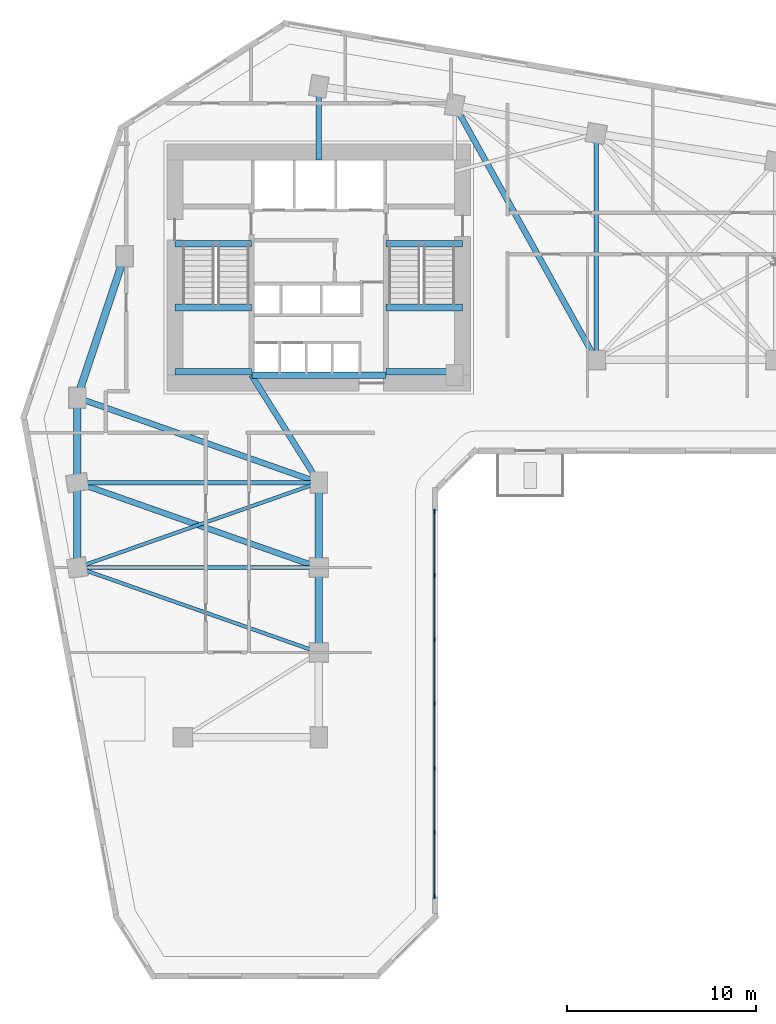
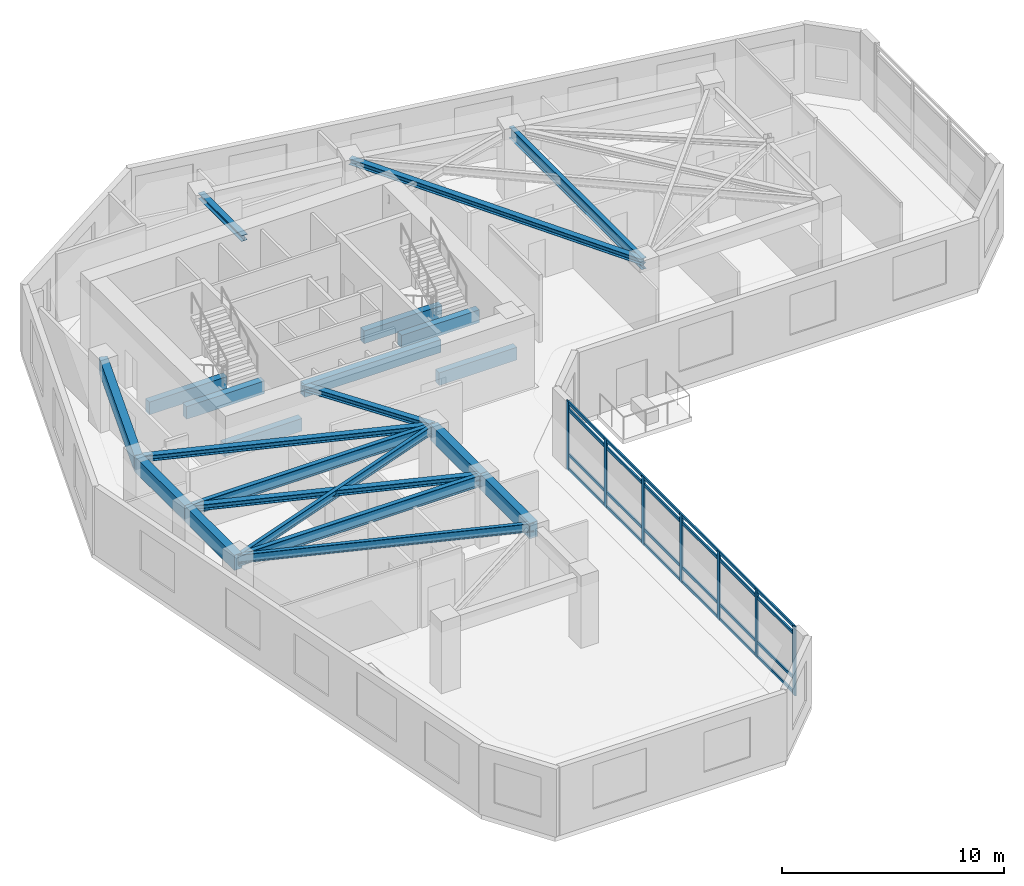
# One storey, part 2 of 9: 22 beams, 11 members, 1 element without a shape of its own.
"""IFC4 building model written with IfcOpenShell, lengths in metres."""

from ifc_helpers import new_model, si_unit, direction, frame, origin, origin_2d, place, context, subcontext, project, spatial, rectangle, i_section, extrude, source, transform, mapped, material, material_profile, profile_set, type_object, element, aggregate, save


model = new_model("IFC4")

# Units and contexts
model_context = context("Model", 3, precision=1e-05, world=origin(), true_north=direction((0.0, 1.0)))
body_context = subcontext(model_context, "Body", "Model", "MODEL_VIEW")
ifc_project = project(units=[si_unit("LENGTHUNIT", "METRE"), si_unit("AREAUNIT", "SQUARE_METRE"), si_unit("VOLUMEUNIT", "CUBIC_METRE"), si_unit("PLANEANGLEUNIT", "RADIAN"), si_unit("MASSUNIT", "GRAM", prefix="KILO")], contexts=[model_context])

# Site, building, storey
site_placement = place(None, origin())
site = spatial("IfcSite", under=ifc_project, at=site_placement, CompositionType="ELEMENT")
building_placement = place(site_placement, origin())
building = spatial("IfcBuilding", under=site, at=building_placement, Name="Calvemar Wedge Station Tower", CompositionType="ELEMENT")
storey_placement = place(building_placement, frame((0.0, 0.0, 91.0)))
storey = spatial("IfcBuildingStorey", under=building, at=storey_placement, Name="L22", CompositionType="ELEMENT", Elevation=91.0)

# Beams
ifc_material_1 = material(Name="Concrete C70", Category="concrete")
ifc_material_profile_1 = material_profile(ifc_material_1, rectangle(XDim=0.35009765625, YDim=0.699951171875, at=origin_2d()), Name="RC350x700")
ifc_profile_set_1 = profile_set([ifc_material_profile_1], Name="Concrete C70")
beam_type_1 = type_object("IfcBeamType", Name="BM-LN1-700", PredefinedType="LINTEL", material=ifc_profile_set_1)
shared_shape_1 = source(origin(), body_context, "Body", "SweptSolid", [
    extrude(rectangle(XDim=0.35009765625, YDim=0.699951171875, at=origin_2d()), origin(), (0.0, 0.0, 1.0), 4.054931640625),
])
for number, where, z_axis, x_axis, name in (
    (1, (16.175048828125, 41.14990234375, -0.35009765625), (1.0, 0.0, 0.0), (0.0, 1.0, 0.0), "Storey L22 Stair ST-C1 Landing Trimmer Beam"),
    (2, (27.3701171875, 41.14990234375, -0.35009765625), (1.0, 0.0, 0.0), (0.0, 1.0, 0.0), "Storey L22 Stair ST-C2 Landing Trimmer Beam"),
    (3, (16.175048828125, 34.3798828125, 1.449951171875), (1.0, 0.0, 0.0), (0.0, 1.0, 0.0), "Storey L22 Stair ST-C1 Half-Landing Beam 1A"),
    (4, (16.175048828125, 37.780029296875, 1.449951171875), (1.0, 0.0, 0.0), (0.0, 1.0, 0.0), "Storey L22 Stair ST-C1 Half-Landing Beam 1B"),
    (5, (27.3701171875, 34.3798828125, 1.449951171875), (1.0, 0.0, 0.0), (0.0, 1.0, 0.0), "Storey L22 Stair ST-C2 Half-Landing Beam 1A"),
    (6, (27.3701171875, 37.780029296875, 1.449951171875), (1.0, 0.0, 0.0), (0.0, 1.0, 0.0), "Storey L22 Stair ST-C2 Half-Landing Beam 1B"),
):
    element("IfcBeam", number, at=place(storey_placement, frame(where, z_axis=z_axis, x_axis=x_axis)), inside=storey, type_object=beam_type_1, Name=name, PredefinedType="LINTEL", context=body_context, shape_type="MappedRepresentation", body=[
        mapped(shared_shape_1, transform((0.0, 0.0, 0.0), scale=1.0)),
    ])
ifc_material_2 = material(Name="Concrete C60", Category="concrete")
ifc_material_profile_2 = material_profile(ifc_material_2, rectangle(XDim=0.39990234375, YDim=0.85009765625, at=origin_2d()), Name="RC400x850")
ifc_profile_set_2 = profile_set([ifc_material_profile_2], Name="Concrete C60")
beam_type_2 = type_object("IfcBeamType", Name="BM-SP1-850", PredefinedType="SPANDREL", material=ifc_profile_set_2)
shared_shape_2 = source(origin(), body_context, "Body", "SweptSolid", [
    extrude(rectangle(XDim=0.39990234375, YDim=0.85009765625, at=origin_2d()), origin(), (0.0, 0.0, 1.0), 7.90576171875),
])
beam_1_placement = place(storey_placement, frame((11.0, 33.0, 3.324951171875), z_axis=(0.316227766017, 0.948683298051, 0.0), x_axis=(-0.948683298051, 0.316227766017, 0.0)))
element("IfcBeam", 7, at=beam_1_placement, inside=storey, type_object=beam_type_2, Name="Storey L22 Spandrel T-NW1-T-NW2", PredefinedType="SPANDREL", context=body_context, shape_type="MappedRepresentation", body=[
    mapped(shared_shape_2, transform((0.0, 0.0, 0.0), scale=1.0)),
])
ifc_material_3 = material(Name="Structural steel ASTM A572 Grade 50", Category="steel")
ifc_material_profile_3 = material_profile(ifc_material_3, i_section(OverallWidth=0.22998046875, OverallDepth=0.616943359375, WebThickness=0.01318359375, FlangeThickness=0.022216796875, FilletRadius=0.012939453125, at=origin_2d()), Name="W610x140")
ifc_profile_set_3 = profile_set([ifc_material_profile_3], Name="Structural steel ASTM A572 Grade 50")
beam_type_3 = type_object("IfcBeamType", Name="BM-SB2-W610", PredefinedType="BEAM", material=ifc_profile_set_3)
shared_shape_3 = source(origin(), body_context, "Body", "SweptSolid", [
    extrude(i_section(OverallWidth=0.22998046875, OverallDepth=0.616943359375, WebThickness=0.01318359375, FlangeThickness=0.022216796875, FilletRadius=0.012939453125, at=origin_2d()), origin(), (0.0, 0.0, 1.0), 12.0),
])
beam_2_placement = place(storey_placement, frame((38.5, 47.0, 3.44140625), z_axis=(0.0, -1.0, 0.0), x_axis=(1.0, 0.0, 0.0)))
element("IfcBeam", 8, at=beam_2_placement, inside=storey, type_object=beam_type_3, Name="Storey L22 Floor Beam T-NU3-T-NL2", PredefinedType="BEAM", context=body_context, shape_type="MappedRepresentation", body=[
    mapped(shared_shape_3, transform((0.0, 0.0, 0.0), scale=1.0)),
])
shared_shape_4 = source(origin(), body_context, "Body", "SweptSolid", [
    extrude(rectangle(XDim=0.39990234375, YDim=0.85009765625, at=origin_2d()), origin(), (0.0, 0.0, 1.0), 4.5),
])
for number, where, z_axis, x_axis, name in (
    (9, (11.0, 33.0, 3.324951171875), (0.0, -1.0, 0.0), (1.0, 0.0, 0.0), "Storey L22 Spandrel T-NW1-T-SW1"),
    (10, (11.0, 28.5, 3.324951171875), (0.0, -1.0, 0.0), (1.0, 0.0, 0.0), "Storey L22 Spandrel T-SW1-T-SW2"),
    (11, (23.800048828125, 28.5, 3.324951171875), (0.0, -1.0, 0.0), (1.0, 0.0, 0.0), "Storey L22 Spandrel T-SE1-T-SE2"),
    (12, (23.800048828125, 24.0, 3.324951171875), (0.0, -1.0, 0.0), (1.0, 0.0, 0.0), "Storey L22 Spandrel T-SE2-T-SE3"),
):
    element("IfcBeam", number, at=place(storey_placement, frame(where, z_axis=z_axis, x_axis=x_axis)), inside=storey, type_object=beam_type_2, Name=name, PredefinedType="SPANDREL", context=body_context, shape_type="MappedRepresentation", body=[
        mapped(shared_shape_4, transform((0.0, 0.0, 0.0), scale=1.0)),
    ])
shared_shape_5 = source(origin(), body_context, "Body", "SweptSolid", [
    extrude(i_section(OverallWidth=0.22998046875, OverallDepth=0.616943359375, WebThickness=0.01318359375, FlangeThickness=0.022216796875, FilletRadius=0.012939453125, at=origin_2d()), origin(), (0.0, 0.0, 1.0), 12.800048828125),
])
for number, where, z_axis, x_axis, name in (
    (13, (11.0, 28.5, 3.44140625), (1.0, 0.0, 0.0), (0.0, 1.0, 0.0), "Storey L22 Floor Beam T-SW1-T-SE1"),
    (14, (11.0, 24.0, 3.44140625), (1.0, 0.0, 0.0), (0.0, 1.0, 0.0), "Storey L22 Floor Beam T-SW2-T-SE2"),
):
    element("IfcBeam", number, at=place(storey_placement, frame(where, z_axis=z_axis, x_axis=x_axis)), inside=storey, type_object=beam_type_3, Name=name, PredefinedType="BEAM", context=body_context, shape_type="MappedRepresentation", body=[
        mapped(shared_shape_5, transform((0.0, 0.0, 0.0), scale=1.0)),
    ])
shared_shape_6 = source(origin(), body_context, "Body", "SweptSolid", [
    extrude(rectangle(XDim=0.35009765625, YDim=0.699951171875, at=origin_2d()), origin(), (0.0, 0.0, 1.0), 7.10009765625),
])
beam_3_placement = place(storey_placement, frame((20.25, 34.199951171875, 3.39990234375), z_axis=(1.0, 0.0, 0.0), x_axis=(0.0, 1.0, 0.0)))
element("IfcBeam", 15, at=beam_3_placement, inside=storey, type_object=beam_type_1, Name="Storey L22 Core Coupling Lintel South", PredefinedType="LINTEL", context=body_context, shape_type="MappedRepresentation", body=[
    mapped(shared_shape_6, transform((0.0, 0.0, 0.0), scale=1.0)),
])
ifc_material_profile_4 = material_profile(ifc_material_3, i_section(OverallWidth=0.30908203125, OverallDepth=0.322998046875, WebThickness=0.013916015625, FlangeThickness=0.02294921875, FilletRadius=0.014892578125, at=origin_2d()), Name="W310x143")
ifc_profile_set_4 = profile_set([ifc_material_profile_4], Name="Structural steel ASTM A572 Grade 50")
beam_type_4 = type_object("IfcBeamType", Name="BM-J5-W310H", PredefinedType="JOIST", material=ifc_profile_set_4)
shared_shape_7 = source(origin(), body_context, "Body", "SweptSolid", [
    extrude(i_section(OverallWidth=0.30908203125, OverallDepth=0.322998046875, WebThickness=0.013916015625, FlangeThickness=0.02294921875, FilletRadius=0.014892578125, at=origin_2d()), origin(), (0.0, 0.0, 1.0), 15.443359375),
])
beam_4_placement = place(storey_placement, frame((31.0, 48.5, 3.58837890625), z_axis=(0.485642931179, -0.874157276122, 0.0), x_axis=(0.874157276122, 0.485642931179, 0.0)))
element("IfcBeam", 16, at=beam_4_placement, inside=storey, type_object=beam_type_4, Name="Storey L22 Floor Beam T-N2-T-NL2", PredefinedType="JOIST", context=body_context, shape_type="MappedRepresentation", body=[
    mapped(shared_shape_7, transform((0.0, 0.0, 0.0), scale=1.0)),
])
shared_shape_8 = source(origin(), body_context, "Body", "SweptSolid", [
    extrude(i_section(OverallWidth=0.30908203125, OverallDepth=0.322998046875, WebThickness=0.013916015625, FlangeThickness=0.02294921875, FilletRadius=0.014892578125, at=origin_2d()), origin(), (0.0, 0.0, 1.0), 13.568115234375),
])
for number, where, z_axis, x_axis, name in (
    (17, (11.0, 33.0, 3.58837890625), (0.943398221169, -0.331662171939, 0.0), (0.331662171939, 0.943398221169, 0.0), "Storey L22 Floor Beam T-NW1-T-SE1"),
    (18, (11.0, 28.5, 3.58837890625), (0.943398221169, -0.331662171939, 0.0), (0.331662171939, 0.943398221169, 0.0), "Storey L22 Floor Beam T-SW1-T-SE2"),
):
    element("IfcBeam", number, at=place(storey_placement, frame(where, z_axis=z_axis, x_axis=x_axis)), inside=storey, type_object=beam_type_4, Name=name, PredefinedType="JOIST", context=body_context, shape_type="MappedRepresentation", body=[
        mapped(shared_shape_8, transform((0.0, 0.0, 0.0), scale=1.0)),
    ])
ifc_material_profile_5 = material_profile(ifc_material_3, i_section(OverallWidth=0.19189453125, OverallDepth=0.462890625, WebThickness=0.010498046875, FlangeThickness=0.017578125, FilletRadius=0.012939453125, at=origin_2d()), Name="W460x89")
ifc_profile_set_5 = profile_set([ifc_material_profile_5], Name="Structural steel ASTM A572 Grade 50")
beam_type_5 = type_object("IfcBeamType", Name="BM-J1-W460", PredefinedType="JOIST", material=ifc_profile_set_5)
shared_shape_9 = source(origin(), body_context, "Body", "SweptSolid", [
    extrude(i_section(OverallWidth=0.19189453125, OverallDepth=0.462890625, WebThickness=0.010498046875, FlangeThickness=0.017578125, FilletRadius=0.012939453125, at=origin_2d()), origin(), (0.0, 0.0, 1.0), 13.568115234375),
])
for number, where, z_axis, x_axis, name in (
    (19, (23.800048828125, 28.5, 3.5185546875), (-0.943398221169, -0.331662171939, 0.0), (0.331662171939, -0.943398221169, 0.0), "Storey L22 Floor Beam T-SE1-T-SW2"),
    (20, (11.0, 24.0, 3.5185546875), (0.943398221169, -0.331662171939, 0.0), (0.331662171939, 0.943398221169, 0.0), "Storey L22 Floor Beam T-SW2-T-SE3"),
):
    element("IfcBeam", number, at=place(storey_placement, frame(where, z_axis=z_axis, x_axis=x_axis)), inside=storey, type_object=beam_type_5, Name=name, PredefinedType="JOIST", context=body_context, shape_type="MappedRepresentation", body=[
        mapped(shared_shape_9, transform((0.0, 0.0, 0.0), scale=1.0)),
    ])
shared_shape_10 = source(origin(), body_context, "Body", "SweptSolid", [
    extrude(i_section(OverallWidth=0.30908203125, OverallDepth=0.322998046875, WebThickness=0.013916015625, FlangeThickness=0.02294921875, FilletRadius=0.014892578125, at=origin_2d()), origin(), (0.0, 0.0, 1.0), 3.89990234375),
])
beam_5_placement = place(storey_placement, frame((23.800048828125, 45.60009765625, 3.58837890625), z_axis=(0.0, 1.0, 0.0), x_axis=(-1.0, 0.0, 0.0)))
element("IfcBeam", 21, at=beam_5_placement, inside=storey, type_object=beam_type_4, Name="Storey L22 Core-to-Column Joist CJ-N1", PredefinedType="JOIST", context=body_context, shape_type="MappedRepresentation", body=[
    mapped(shared_shape_10, transform((0.0, 0.0, 0.0), scale=1.0)),
])
shared_shape_11 = source(origin(), body_context, "Body", "SweptSolid", [
    extrude(i_section(OverallWidth=0.30908203125, OverallDepth=0.322998046875, WebThickness=0.013916015625, FlangeThickness=0.02294921875, FilletRadius=0.014892578125, at=origin_2d()), origin(), (0.0, 0.0, 1.0), 6.7255859375),
])
beam_6_placement = place(storey_placement, frame((20.22998046875, 34.199951171875, 3.58837890625), z_axis=(0.530811158438, -0.847490126242, 0.0), x_axis=(0.847490126242, 0.530811158438, 0.0)))
element("IfcBeam", 22, at=beam_6_placement, inside=storey, type_object=beam_type_4, Name="Storey L22 Core-to-Column Joist CJ-S2", PredefinedType="JOIST", context=body_context, shape_type="MappedRepresentation", body=[
    mapped(shared_shape_11, transform((0.0, 0.0, 0.0), scale=1.0)),
])

# Curtain wall, members
ifc_material_4 = material(Name="Anodised aluminium 6063-T6", Category="aluminium")
curtain_wall_type = type_object("IfcCurtainWallType", Name="CW1", PredefinedType="NOTDEFINED", material=ifc_material_4)
curtain_wall_placement = place(storey_placement, origin())
curtain_wall = element("IfcCurtainWall", 23, at=curtain_wall_placement, inside=storey, type_object=curtain_wall_type, Name="Storey L22 CW1 Recessed Unitised Curtain Wall 4", PredefinedType="NOTDEFINED")
ifc_material_profile_6 = material_profile(ifc_material_4, rectangle(XDim=0.080078125, YDim=0.219970703125, at=origin_2d()), Name="AL-MUL-80x220")
ifc_profile_set_6 = profile_set([ifc_material_profile_6], Name="Anodised aluminium 6063-T6")
member_type_1 = type_object("IfcMemberType", Name="CW1-MUL", PredefinedType="MULLION", material=ifc_profile_set_6)
shared_shape_12 = source(origin(), body_context, "Body", "SweptSolid", [
    extrude(rectangle(XDim=0.080078125, YDim=0.219970703125, at=origin_2d()), origin(), (0.0, 0.0, 1.0), 3.800048828125),
])
member_1_placement = place(storey_placement, frame((29.91796875, 6.56201171875, -0.050048828125), z_axis=(0.0, 0.0, 1.0), x_axis=(1.0, 0.0, 0.0)))
member_1 = element("IfcMember", 24, at=member_1_placement, type_object=member_type_1, Name="CW1 mullion 1", PredefinedType="MULLION", context=body_context, shape_type="MappedRepresentation", body=[
    mapped(shared_shape_12, transform((0.0, 0.0, 0.0), scale=1.0)),
])
member_2_placement = place(storey_placement, frame((29.91796875, 9.966796875, -0.050048828125), z_axis=(0.0, 0.0, 1.0), x_axis=(1.0, 0.0, 0.0)))
member_2 = element("IfcMember", 25, at=member_2_placement, type_object=member_type_1, Name="CW1 mullion 2", PredefinedType="MULLION", context=body_context, shape_type="MappedRepresentation", body=[
    mapped(shared_shape_12, transform((0.0, 0.0, 0.0), scale=1.0)),
])
member_3_placement = place(storey_placement, frame((29.91796875, 13.371337890625, -0.050048828125), z_axis=(0.0, 0.0, 1.0), x_axis=(1.0, 0.0, 0.0)))
member_3 = element("IfcMember", 26, at=member_3_placement, type_object=member_type_1, Name="CW1 mullion 3", PredefinedType="MULLION", context=body_context, shape_type="MappedRepresentation", body=[
    mapped(shared_shape_12, transform((0.0, 0.0, 0.0), scale=1.0)),
])
member_4_placement = place(storey_placement, frame((29.91796875, 16.776123046875, -0.050048828125), z_axis=(0.0, 0.0, 1.0), x_axis=(1.0, 0.0, 0.0)))
member_4 = element("IfcMember", 27, at=member_4_placement, type_object=member_type_1, Name="CW1 mullion 4", PredefinedType="MULLION", context=body_context, shape_type="MappedRepresentation", body=[
    mapped(shared_shape_12, transform((0.0, 0.0, 0.0), scale=1.0)),
])
member_5_placement = place(storey_placement, frame((29.91796875, 20.180908203125, -0.050048828125), z_axis=(0.0, 0.0, 1.0), x_axis=(1.0, 0.0, 0.0)))
member_5 = element("IfcMember", 28, at=member_5_placement, type_object=member_type_1, Name="CW1 mullion 5", PredefinedType="MULLION", context=body_context, shape_type="MappedRepresentation", body=[
    mapped(shared_shape_12, transform((0.0, 0.0, 0.0), scale=1.0)),
])
member_6_placement = place(storey_placement, frame((29.91796875, 23.58544921875, -0.050048828125), z_axis=(0.0, 0.0, 1.0), x_axis=(1.0, 0.0, 0.0)))
member_6 = element("IfcMember", 29, at=member_6_placement, type_object=member_type_1, Name="CW1 mullion 6", PredefinedType="MULLION", context=body_context, shape_type="MappedRepresentation", body=[
    mapped(shared_shape_12, transform((0.0, 0.0, 0.0), scale=1.0)),
])
member_7_placement = place(storey_placement, frame((29.91796875, 26.989990234375, -0.050048828125), z_axis=(0.0, 0.0, 1.0), x_axis=(1.0, 0.0, 0.0)))
member_7 = element("IfcMember", 30, at=member_7_placement, type_object=member_type_1, Name="CW1 mullion 7", PredefinedType="MULLION", context=body_context, shape_type="MappedRepresentation", body=[
    mapped(shared_shape_12, transform((0.0, 0.0, 0.0), scale=1.0)),
])
ifc_material_profile_7 = material_profile(ifc_material_4, rectangle(XDim=0.080078125, YDim=0.159912109375, at=origin_2d()), Name="AL-TRN-80x160")
ifc_profile_set_7 = profile_set([ifc_material_profile_7], Name="Anodised aluminium 6063-T6")
member_type_2 = type_object("IfcMemberType", Name="CW1-TRN", PredefinedType="USERDEFINED", material=ifc_profile_set_7)
shared_shape_13 = source(origin(), body_context, "Body", "SweptSolid", [
    extrude(rectangle(XDim=0.080078125, YDim=0.159912109375, at=origin_2d()), origin(), (0.0, 0.0, 1.0), 20.427978515625),
])
member_8_placement = place(storey_placement, frame((29.91796875, 6.56201171875, 0.06005859375), z_axis=(0.0, 1.0, 0.0), x_axis=(-1.0, 0.0, 0.0)))
member_8 = element("IfcMember", 31, at=member_8_placement, type_object=member_type_2, Name="CW1 transom 1", ObjectType="TRANSOM", PredefinedType="USERDEFINED", context=body_context, shape_type="MappedRepresentation", body=[
    mapped(shared_shape_13, transform((0.0, 0.0, 0.0), scale=1.0)),
])
member_9_placement = place(storey_placement, frame((29.91796875, 6.56201171875, 0.85009765625), z_axis=(0.0, 1.0, 0.0), x_axis=(-1.0, 0.0, 0.0)))
member_9 = element("IfcMember", 32, at=member_9_placement, type_object=member_type_2, Name="CW1 transom 2", ObjectType="TRANSOM", PredefinedType="USERDEFINED", context=body_context, shape_type="MappedRepresentation", body=[
    mapped(shared_shape_13, transform((0.0, 0.0, 0.0), scale=1.0)),
])
member_10_placement = place(storey_placement, frame((29.91796875, 6.56201171875, 3.300048828125), z_axis=(0.0, 1.0, 0.0), x_axis=(-1.0, 0.0, 0.0)))
member_10 = element("IfcMember", 33, at=member_10_placement, type_object=member_type_2, Name="CW1 transom 3", ObjectType="TRANSOM", PredefinedType="USERDEFINED", context=body_context, shape_type="MappedRepresentation", body=[
    mapped(shared_shape_13, transform((0.0, 0.0, 0.0), scale=1.0)),
])
member_11_placement = place(storey_placement, frame((29.91796875, 6.56201171875, 3.68994140625), z_axis=(0.0, 1.0, 0.0), x_axis=(-1.0, 0.0, 0.0)))
member_11 = element("IfcMember", 34, at=member_11_placement, type_object=member_type_2, Name="CW1 transom 4", ObjectType="TRANSOM", PredefinedType="USERDEFINED", context=body_context, shape_type="MappedRepresentation", body=[
    mapped(shared_shape_13, transform((0.0, 0.0, 0.0), scale=1.0)),
])
aggregate(curtain_wall, [member_1, member_2, member_3, member_4, member_5, member_6, member_7, member_8, member_9, member_10, member_11])

save(model, "model.ifc")
